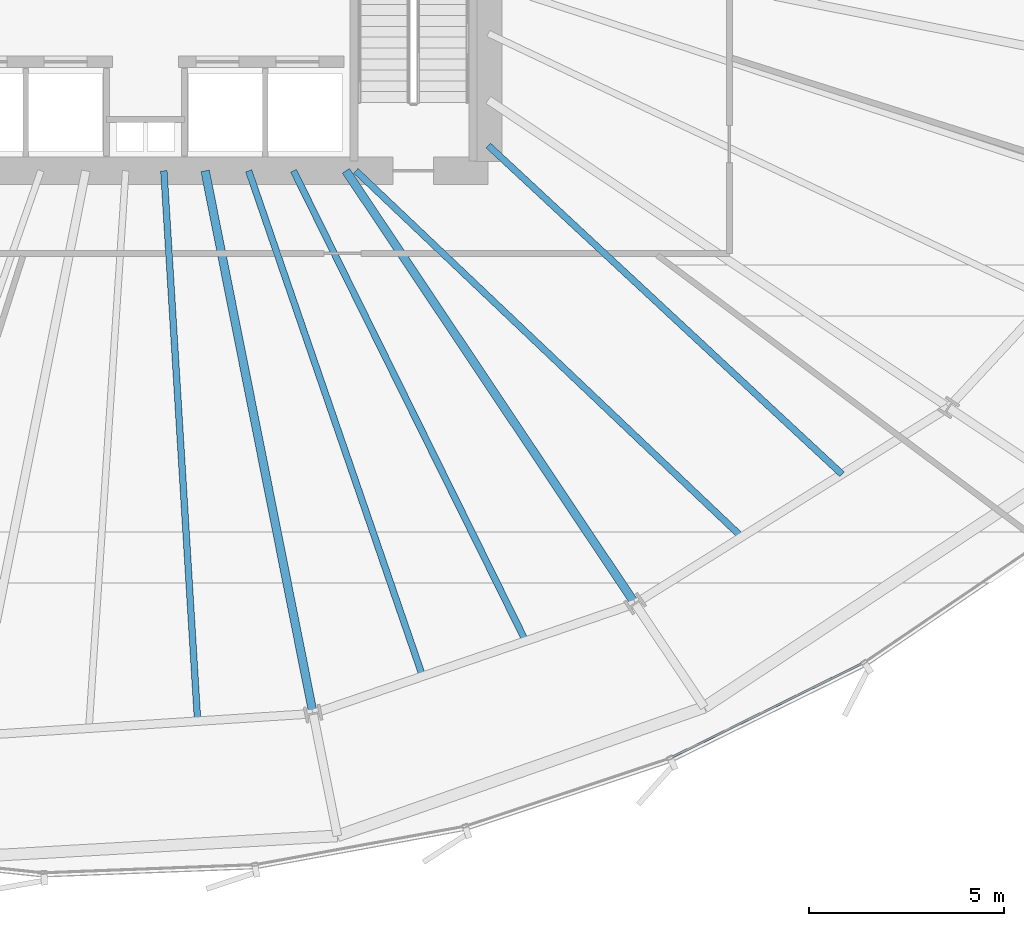
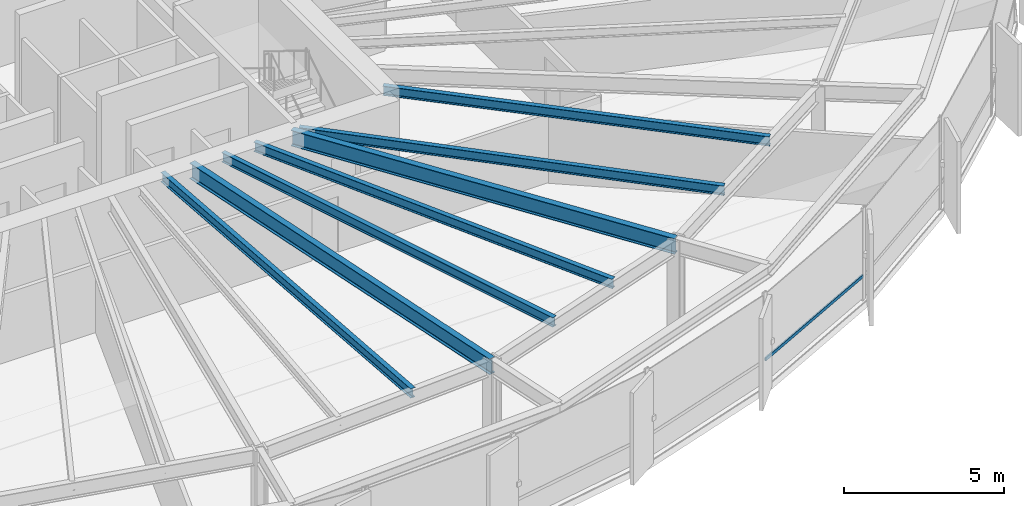
# One storey, part 12 of 37: 7 beams, 1 member, 1 element without a shape of its own.
"""IFC4 building model written with IfcOpenShell, lengths in metres."""

from ifc_helpers import new_model, si_unit, direction, frame, origin, origin_2d, place, context, subcontext, project, spatial, hollow_rectangle, i_section, extrude, source, transform, mapped, material, layer, layer_set, material_profile, profile_set, type_object, element, aggregate, save


model = new_model("IFC4")

# Units and contexts
model_context = context("Model", 3, precision=1e-05, world=origin(), true_north=direction((0.0, 1.0)))
body_context = subcontext(model_context, "Body", "Model", "MODEL_VIEW")
ifc_project = project(units=[si_unit("LENGTHUNIT", "METRE"), si_unit("AREAUNIT", "SQUARE_METRE"), si_unit("VOLUMEUNIT", "CUBIC_METRE"), si_unit("PLANEANGLEUNIT", "RADIAN"), si_unit("MASSUNIT", "GRAM", prefix="KILO"), si_unit("THERMODYNAMICTEMPERATUREUNIT", "KELVIN")], contexts=[model_context])

# Site, building, storey
site_placement = place(None, origin())
site = spatial("IfcSite", under=ifc_project, at=site_placement, CompositionType="ELEMENT")
building_placement = place(site_placement, origin())
building = spatial("IfcBuilding", under=site, at=building_placement, Name="Kethvar Cultural Tower", CompositionType="ELEMENT")
storey_placement = place(building_placement, frame((0.0, 0.0, 56.199951171875)))
storey = spatial("IfcBuildingStorey", under=building, at=storey_placement, Name="L13", CompositionType="ELEMENT", Elevation=56.199951171875)

# Beams
ifc_material_1 = material(Name="Steel S355J2", Category="steel")
ifc_material_profile_1 = material_profile(ifc_material_1, i_section(OverallWidth=0.219970703125, OverallDepth=0.60009765625, WebThickness=0.011962890625, FlangeThickness=0.01904296875, FilletRadius=0.02392578125, at=origin_2d()), Name="Steel S355J2 — IPE600")
ifc_profile_set_1 = profile_set([ifc_material_profile_1], Name="Steel S355J2 — IPE600")
beam_type_1 = type_object("IfcBeamType", Name="BM-IPE600", PredefinedType="BEAM", material=ifc_profile_set_1)
shared_shape_1 = source(origin(), body_context, "Body", "SweptSolid", [
    extrude(i_section(OverallWidth=0.219970703125, OverallDepth=0.60009765625, WebThickness=0.011962890625, FlangeThickness=0.01904296875, FilletRadius=0.02392578125, at=origin_2d()), origin(), (0.0, 0.0, 1.0), 14.210693359375),
])
beam_1_placement = place(storey_placement, frame((48.33154296875, 20.10009765625, 3.248046875), z_axis=(0.195098432651, -0.980783667063, 0.0), x_axis=(0.980783667063, 0.195098432651, 0.0)))
element("IfcBeam", 1, at=beam_1_placement, inside=storey, type_object=beam_type_1, Name="L13 Primary Radial Beam RB-13", PredefinedType="BEAM", context=body_context, shape_type="MappedRepresentation", body=[
    mapped(shared_shape_1, transform((0.0, 0.0, 0.0), scale=1.0)),
])
shared_shape_2 = source(origin(), body_context, "Body", "SweptSolid", [
    extrude(i_section(OverallWidth=0.219970703125, OverallDepth=0.60009765625, WebThickness=0.011962890625, FlangeThickness=0.01904296875, FilletRadius=0.02392578125, at=origin_2d()), origin(), (0.0, 0.0, 1.0), 13.365478515625),
])
beam_2_placement = place(storey_placement, frame((51.945068359375, 20.10009765625, 3.248046875), z_axis=(0.555559834465, -0.831476560301, 0.0), x_axis=(0.831476560301, 0.555559834465, 0.0)))
element("IfcBeam", 2, at=beam_2_placement, inside=storey, type_object=beam_type_1, Name="L13 Primary Radial Beam RB-14", PredefinedType="BEAM", context=body_context, shape_type="MappedRepresentation", body=[
    mapped(shared_shape_2, transform((0.0, 0.0, 0.0), scale=1.0)),
])
ifc_material_profile_2 = material_profile(ifc_material_1, i_section(OverallWidth=0.169921875, OverallDepth=0.360107421875, WebThickness=0.008056640625, FlangeThickness=0.0126953125, FilletRadius=0.01806640625, at=origin_2d()), Name="Steel S355J2 — IPE360")
ifc_profile_set_2 = profile_set([ifc_material_profile_2], Name="Steel S355J2 — IPE360")
beam_type_2 = type_object("IfcBeamType", Name="BM-J360", PredefinedType="JOIST", material=ifc_profile_set_2)
shared_shape_3 = source(origin(), body_context, "Body", "SweptSolid", [
    extrude(i_section(OverallWidth=0.169921875, OverallDepth=0.360107421875, WebThickness=0.008056640625, FlangeThickness=0.0126953125, FilletRadius=0.01806640625, at=origin_2d()), origin(), (0.0, 0.0, 1.0), 14.156494140625),
])
beam_3_placement = place(storey_placement, frame((47.272216796875, 20.10009765625, 3.3681640625), z_axis=(0.06122296991, -0.998124114505, 0.0), x_axis=(0.998124114505, 0.06122296991, 0.0)))
element("IfcBeam", 3, at=beam_3_placement, inside=storey, type_object=beam_type_2, Name="L13 Composite Floor Joist J-12B", PredefinedType="JOIST", context=body_context, shape_type="MappedRepresentation", body=[
    mapped(shared_shape_3, transform((0.0, 0.0, 0.0), scale=1.0)),
])
shared_shape_4 = source(origin(), body_context, "Body", "SweptSolid", [
    extrude(i_section(OverallWidth=0.169921875, OverallDepth=0.360107421875, WebThickness=0.008056640625, FlangeThickness=0.0126953125, FilletRadius=0.01806640625, at=origin_2d()), origin(), (0.0, 0.0, 1.0), 13.7236328125),
])
beam_4_placement = place(storey_placement, frame((49.449462890625, 20.10009765625, 3.3681640625), z_axis=(0.325355191569, -0.945591877778, 0.0), x_axis=(0.945591877778, 0.325355191569, 0.0)))
element("IfcBeam", 4, at=beam_4_placement, inside=storey, type_object=beam_type_2, Name="L13 Composite Floor Joist J-13A", PredefinedType="JOIST", context=body_context, shape_type="MappedRepresentation", body=[
    mapped(shared_shape_4, transform((0.0, 0.0, 0.0), scale=1.0)),
])
shared_shape_5 = source(origin(), body_context, "Body", "SweptSolid", [
    extrude(i_section(OverallWidth=0.169921875, OverallDepth=0.360107421875, WebThickness=0.008056640625, FlangeThickness=0.0126953125, FilletRadius=0.01806640625, at=origin_2d()), origin(), (0.0, 0.0, 1.0), 13.4638671875),
])
beam_5_placement = place(storey_placement, frame((50.6005859375, 20.10009765625, 3.3681640625), z_axis=(0.442609148219, -0.89671463795, 0.0), x_axis=(0.89671463795, 0.442609148219, 0.0)))
element("IfcBeam", 5, at=beam_5_placement, inside=storey, type_object=beam_type_2, Name="L13 Composite Floor Joist J-13B", PredefinedType="JOIST", context=body_context, shape_type="MappedRepresentation", body=[
    mapped(shared_shape_5, transform((0.0, 0.0, 0.0), scale=1.0)),
])
shared_shape_6 = source(origin(), body_context, "Body", "SweptSolid", [
    extrude(i_section(OverallWidth=0.169921875, OverallDepth=0.360107421875, WebThickness=0.008056640625, FlangeThickness=0.0126953125, FilletRadius=0.01806640625, at=origin_2d()), origin(), (0.0, 0.0, 1.0), 13.656982421875),
])
beam_6_placement = place(storey_placement, frame((52.199951171875, 20.10009765625, 3.3681640625), z_axis=(0.725392974221, -0.688334971472, 0.0), x_axis=(0.688334971472, 0.725392974221, 0.0)))
element("IfcBeam", 6, at=beam_6_placement, inside=storey, type_object=beam_type_2, Name="L13 Composite Floor Joist J-14A", PredefinedType="JOIST", context=body_context, shape_type="MappedRepresentation", body=[
    mapped(shared_shape_6, transform((0.0, 0.0, 0.0), scale=1.0)),
])
shared_shape_7 = source(origin(), body_context, "Body", "SweptSolid", [
    extrude(i_section(OverallWidth=0.169921875, OverallDepth=0.360107421875, WebThickness=0.008056640625, FlangeThickness=0.0126953125, FilletRadius=0.01806640625, at=origin_2d()), origin(), (0.0, 0.0, 1.0), 12.3974609375),
])
beam_7_placement = place(storey_placement, frame((55.60009765625, 20.75, 3.3681640625), z_axis=(0.732566203092, -0.68069578968, 0.0), x_axis=(0.68069578968, 0.732566203092, 0.0)))
element("IfcBeam", 7, at=beam_7_placement, inside=storey, type_object=beam_type_2, Name="L13 Composite Floor Joist J-14B", PredefinedType="JOIST", context=body_context, shape_type="MappedRepresentation", body=[
    mapped(shared_shape_7, transform((0.0, 0.0, 0.0), scale=1.0)),
])

# Curtain wall, member
ifc_material_2 = material(Name="Aluminium 6063-T6", Category="aluminium")
ifc_layer = layer(ifc_material_2, 0.179931640625, Name="Aluminium 6063-T6", Category="aluminium")
ifc_layer_set = layer_set([ifc_layer], Name="Aluminium 6063-T6 (180 mm)")
curtain_wall_type = type_object("IfcCurtainWallType", Name="CW-SYS-02-Z1", PredefinedType="NOTDEFINED", material=ifc_layer_set)
curtain_wall_placement = place(storey_placement, origin())
curtain_wall = element("IfcCurtainWall", 8, at=curtain_wall_placement, inside=storey, type_object=curtain_wall_type, Name="L13 Curtain Wall Run 06", PredefinedType="NOTDEFINED")
ifc_material_profile_3 = material_profile(ifc_material_2, hollow_rectangle(XDim=0.054931640625, YDim=0.1201171875, WallThickness=0.00390625, at=origin_2d()), Name="Aluminium 6063-T6 — RHS120x55x4")
ifc_profile_set_3 = profile_set([ifc_material_profile_3], Name="Aluminium 6063-T6 — RHS120x55x4")
member_type = type_object("IfcMemberType", Name="CW-SYS-02-Z1-TRN", PredefinedType="USERDEFINED", material=ifc_profile_set_3)
shared_shape_8 = source(origin(), body_context, "Body", "SweptSolid", [
    extrude(hollow_rectangle(XDim=0.054931640625, YDim=0.1201171875, WallThickness=0.00390625, at=origin_2d()), origin(), (0.0, 0.0, 1.0), 5.475830078125),
])
member_placement = place(storey_placement, frame((60.30908203125, 5.040283203125, 0.949951171875), z_axis=(0.896892432322, 0.442248759008, 0.0), x_axis=(-0.442248759008, 0.896892432322, 0.0)))
member = element("IfcMember", 9, at=member_placement, type_object=member_type, Name="CW-L13-R06 Transom 4", ObjectType="TRANSOM", PredefinedType="USERDEFINED", context=body_context, shape_type="MappedRepresentation", body=[
    mapped(shared_shape_8, transform((0.0, 0.0, 0.0), scale=1.0)),
])
aggregate(curtain_wall, [member])

save(model, "model.ifc")
